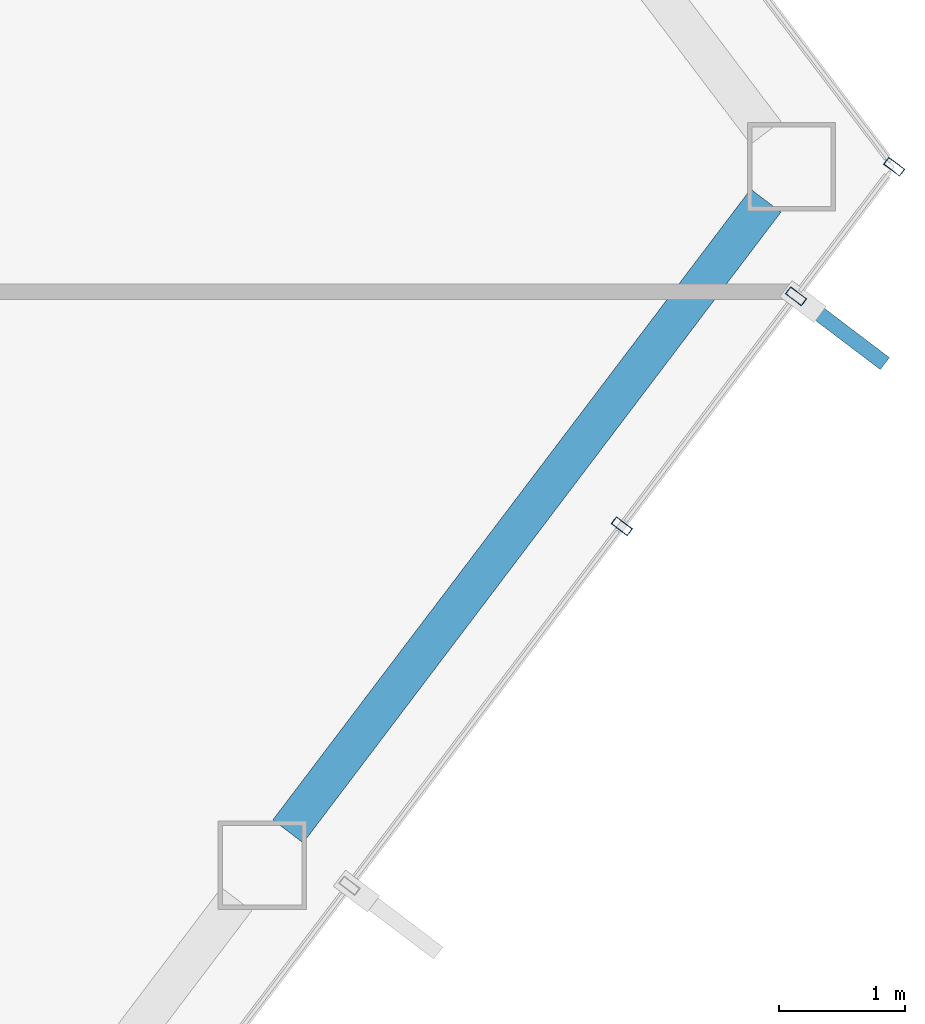
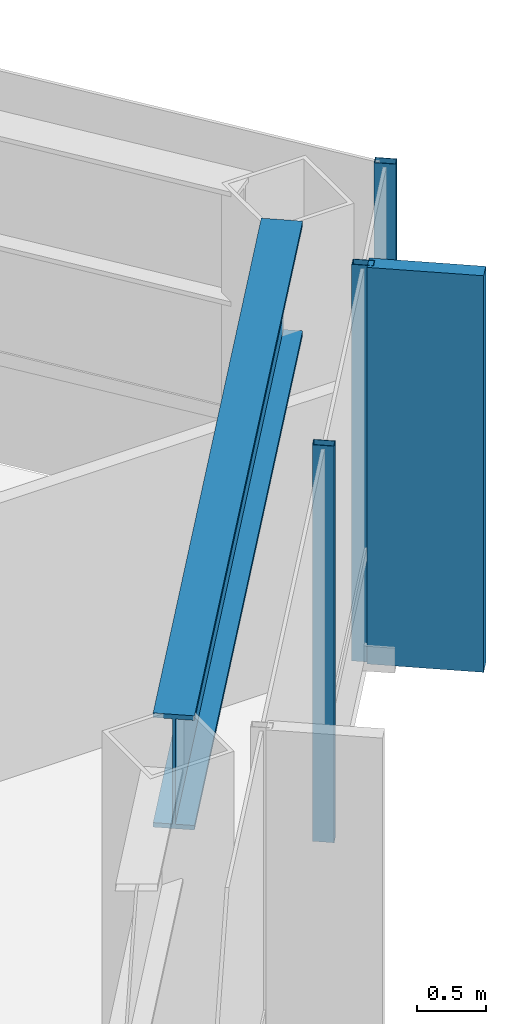
# One storey, part 20 of 27: 4 members, 1 beam, 1 element without a shape of its own.
"""IFC4 building model written with IfcOpenShell, lengths in metres."""

import ifcopenshell
import ifcopenshell.guid

model = None  # the IFC model being written
_history = None  # IfcOwnerHistory: only IFC2X3 demands one
_inside = {}  # id of a spatial element -> (the spatial element, [elements in it])
_under = {}  # id of a project, library or spatial element -> (it, [spatial elements below it])
_declared = {}  # id of a project -> (the project, [libraries it declares])
_typed = {}  # id of a type object -> (the type object, [elements of that type])
_made_of = {}  # id of a material, layer set ... -> (it, [elements and type objects made of it])


def new_model(schema):
    """Start an empty IFC model of exactly this schema.

    Asked for "IFC4X3", IfcOpenShell would pick the latest addendum, in which some entities
    have other attributes; the version numbers below select the first issue.
    IFC2X3 requires an IfcOwnerHistory on every rooted entity: one is made here for all.
    """
    global model, _history
    if schema == "IFC4X3":
        model = ifcopenshell.file(schema_version=(4, 3, 0, 0))
    else:
        model = ifcopenshell.file(schema=schema)
    _inside.clear()
    _under.clear()
    _declared.clear()
    _typed.clear()
    _made_of.clear()
    _history = None
    if model.schema == "IFC2X3":
        org = make("IfcOrganization", Name="unknown")
        user = make(
            "IfcPersonAndOrganization",
            ThePerson=make("IfcPerson", FamilyName="unknown"),
            TheOrganization=org,
        )
        app = make(
            "IfcApplication",
            ApplicationDeveloper=org,
            Version="unknown",
            ApplicationFullName="unknown",
            ApplicationIdentifier="unknown",
        )
        _history = make(
            "IfcOwnerHistory",
            OwningUser=user,
            OwningApplication=app,
            ChangeAction="ADDED",
            CreationDate=0,
        )
    return model


def make(cls, **values):
    """One entity of the class cls with the attributes given. An attribute that is None is left unset."""
    return model.create_entity(
        cls, **{name: value for name, value in values.items() if value is not None}
    )


def rooted(cls, **values):
    """An entity with a GlobalId (a new one), such as an element, a storey or a relation."""
    return make(cls, GlobalId=ifcopenshell.guid.new(), OwnerHistory=_history, **values)


def si_unit(unit_type, name, prefix=None):
    """IfcSIUnit, for example si_unit("LENGTHUNIT", "METRE", prefix="MILLI")."""
    return make("IfcSIUnit", UnitType=unit_type, Prefix=prefix, Name=name)


def assignment(units):
    """IfcUnitAssignment: the units of a project."""
    return None if units is None else make("IfcUnitAssignment", Units=units)


def point(xyz):
    """IfcCartesianPoint."""
    return None if xyz is None else make("IfcCartesianPoint", Coordinates=xyz)


def direction(xyz):
    """IfcDirection."""
    return None if xyz is None else make("IfcDirection", DirectionRatios=xyz)


def frame(location, z_axis=None, x_axis=None):
    """IfcAxis2Placement3D, a coordinate frame: its origin and axes. An axis left out is left unset."""
    return make(
        "IfcAxis2Placement3D",
        Location=point(location),
        Axis=direction(z_axis),
        RefDirection=direction(x_axis),
    )


def frame_2d(location, x_axis=None):
    """IfcAxis2Placement2D, a coordinate frame in the plane: its origin and x axis."""
    return make(
        "IfcAxis2Placement2D", Location=point(location), RefDirection=direction(x_axis)
    )


def origin():
    """The frame at (0, 0, 0) with its axes left unset."""
    return frame((0.0, 0.0, 0.0))


def origin_2d():
    """The frame at (0, 0) in the plane with its x axis left unset."""
    return frame_2d((0.0, 0.0))


def place(relative_to, where):
    """IfcLocalPlacement: puts the frame where relative to a parent placement (None: the world)."""
    return make(
        "IfcLocalPlacement", PlacementRelTo=relative_to, RelativePlacement=where
    )


def context(
    kind, dimensions, precision=None, world=None, true_north=None, identifier=None
):
    """IfcGeometricRepresentationContext, for example the 3D "Model" context."""
    return make(
        "IfcGeometricRepresentationContext",
        ContextIdentifier=identifier,
        ContextType=kind,
        CoordinateSpaceDimension=dimensions,
        Precision=precision,
        WorldCoordinateSystem=world,
        TrueNorth=true_north,
    )


def subcontext(parent, identifier, kind, view, scale=None):
    """IfcGeometricRepresentationSubContext, for example "Body" below "Model"."""
    return make(
        "IfcGeometricRepresentationSubContext",
        ContextIdentifier=identifier,
        ContextType=kind,
        ParentContext=parent,
        TargetScale=scale,
        TargetView=view,
    )


def project(units=None, contexts=None):
    """IfcProject with its units and contexts."""
    return rooted(
        "IfcProject",
        Name="project",
        RepresentationContexts=contexts,
        UnitsInContext=assignment(units),
    )


def spatial(cls, under=None, at=None, **own):
    """A site, building, storey or space (cls), placed at a placement, below another one or the project."""
    s = rooted(cls, ObjectPlacement=at, **own)
    if under is not None:
        _under.setdefault(under.id(), (under, []))[1].append(s)
    return s


def profile(cls, at=None, kind="AREA", **sizes):
    """A parametric profile (cls). Its sizes go by their IFC names, for example OverallWidth=200.0."""
    return make(cls, ProfileType=kind, Position=at, **sizes)


def rectangle(**sizes):
    """IfcRectangleProfileDef."""
    return profile("IfcRectangleProfileDef", **sizes)


def hollow_rectangle(**sizes):
    """IfcRectangleHollowProfileDef."""
    return profile("IfcRectangleHollowProfileDef", **sizes)


def i_section(**sizes):
    """IfcIShapeProfileDef."""
    return profile("IfcIShapeProfileDef", **sizes)


def extrude(swept, where, along, depth):
    """IfcExtrudedAreaSolid: the profile swept, set in the frame where, extruded along a direction by depth."""
    return make(
        "IfcExtrudedAreaSolid",
        SweptArea=swept,
        Position=where,
        ExtrudedDirection=direction(along),
        Depth=depth,
    )


def shape(context_of_items, identifier, shape_type, items):
    """IfcShapeRepresentation: the items that make up one representation, for example the "Body"."""
    return make(
        "IfcShapeRepresentation",
        ContextOfItems=context_of_items,
        RepresentationIdentifier=identifier,
        RepresentationType=shape_type,
        Items=items,
    )


def material(Name=None, Category=None):
    """IfcMaterial."""
    return make("IfcMaterial", Name=Name, Category=Category)


def layer(
    of_material, thickness, ventilated=None, Name=None, Category=None, Priority=None
):
    """IfcMaterialLayer: one layer of a wall or slab, of a material (None: an air gap)."""
    return make(
        "IfcMaterialLayer",
        Material=of_material,
        LayerThickness=thickness,
        IsVentilated=ventilated,
        Name=Name,
        Category=Category,
        Priority=Priority,
    )


def layer_set(layers, Name=None):
    """IfcMaterialLayerSet."""
    return make("IfcMaterialLayerSet", MaterialLayers=layers, LayerSetName=Name)


def material_profile(
    of_material, cross_section, Name=None, Category=None, Priority=None
):
    """IfcMaterialProfile: a cross section and its material."""
    return make(
        "IfcMaterialProfile",
        Name=Name,
        Material=of_material,
        Profile=cross_section,
        Priority=Priority,
        Category=Category,
    )


def profile_set(profiles, Name=None, composite=None):
    """IfcMaterialProfileSet."""
    return make(
        "IfcMaterialProfileSet",
        Name=Name,
        MaterialProfiles=profiles,
        CompositeProfile=composite,
    )


def made_of(thing, what):
    """Note that an element or type object is made of a material, layer set ...; save() writes the relation."""
    if what is not None:
        _made_of.setdefault(what.id(), (what, []))[1].append(thing)
    return thing


def type_object(cls, material=None, **own):
    """A type object (cls), such as IfcWallType, which elements share."""
    return made_of(rooted(cls, **own), material)


def element(
    cls,
    number,
    at=None,
    inside=None,
    cuts=None,
    type_object=None,
    material=None,
    context=None,
    identifier="Body",
    shape_type=None,
    held_by="IfcProductDefinitionShape",
    body=None,
    shapes=None,
    **own,
):
    """One element of the class cls, such as IfcWall. Its Tag is "e" and its number.

    at: its placement. inside: the storey or other place that contains it. cuts: it is an
    opening in that element (IfcRelVoidsElement). A single representation is given by context,
    identifier, shape_type and body (its items); several are given by shapes. held_by: the class
    of the entity that holds the representations. save() writes the other relations.
    """
    e = rooted(cls, Tag="e%d" % number, ObjectPlacement=at, **own)
    if body is not None:
        shapes = [shape(context, identifier, shape_type, body)]
    if shapes is not None:
        e.Representation = make(held_by, Representations=shapes)
    if inside is not None:
        _inside.setdefault(inside.id(), (inside, []))[1].append(e)
    if cuts is not None:
        rooted(
            "IfcRelVoidsElement", RelatingBuildingElement=cuts, RelatedOpeningElement=e
        )
    if type_object is not None:
        _typed.setdefault(type_object.id(), (type_object, []))[1].append(e)
    return made_of(e, material)


def aggregate(whole, parts):
    """IfcRelAggregates: a whole, such as a stair, and the parts it consists of."""
    return rooted("IfcRelAggregates", RelatingObject=whole, RelatedObjects=parts)


def save(model, path):
    """Write the relations noted so far, then the file.

    IfcRelAggregates (storeys below a building ...), IfcRelContainedInSpatialStructure (elements
    in a storey), IfcRelDefinesByType, IfcRelAssociatesMaterial and IfcRelDeclares: one each for
    every whole, place, type object, material and project.
    """
    for whole, parts in _under.values():
        aggregate(whole, parts)
    for where, things in _inside.values():
        rooted(
            "IfcRelContainedInSpatialStructure",
            RelatedElements=things,
            RelatingStructure=where,
        )
    for kind, things in _typed.values():
        rooted("IfcRelDefinesByType", RelatedObjects=things, RelatingType=kind)
    for what, things in _made_of.values():
        rooted("IfcRelAssociatesMaterial", RelatedObjects=things, RelatingMaterial=what)
    for by, libraries in _declared.values():
        rooted("IfcRelDeclares", RelatingContext=by, RelatedDefinitions=libraries)
    model.write(path)


model = new_model("IFC4")

# Units and contexts
model_context = context("Model", 3, precision=1e-05, world=origin(), true_north=direction((0.0, 1.0)))
body_context = subcontext(model_context, "Body", "Model", "MODEL_VIEW")
ifc_project = project(units=[si_unit("LENGTHUNIT", "METRE"), si_unit("AREAUNIT", "SQUARE_METRE"), si_unit("VOLUMEUNIT", "CUBIC_METRE"), si_unit("PLANEANGLEUNIT", "RADIAN"), si_unit("MASSUNIT", "GRAM", prefix="KILO")], contexts=[model_context])

# Site, building, storey
site_placement = place(None, origin())
site = spatial("IfcSite", under=ifc_project, at=site_placement, CompositionType="ELEMENT")
building_placement = place(site_placement, origin())
building = spatial("IfcBuilding", under=site, at=building_placement, Name="Zarrinselat Tower", CompositionType="ELEMENT")
storey_placement = place(building_placement, frame((0.0, 0.0, 179.52001953125)))
storey = spatial("IfcBuildingStorey", under=building, at=storey_placement, Name="L44", CompositionType="ELEMENT", Elevation=179.52001953125)

# Beam
ifc_material_1 = material(Name="Steel S460M", Category="steel")
ifc_material_profile_1 = material_profile(ifc_material_1, i_section(OverallWidth=0.302001953125, OverallDepth=1.008056640625, WebThickness=0.02099609375, FlangeThickness=0.0400390625, at=origin_2d()), Name="HEM 1000")
ifc_profile_set_1 = profile_set([ifc_material_profile_1], Name="Steel S460M")
beam_type = type_object("IfcBeamType", Name="BM-HEM1000", PredefinedType="BEAM", material=ifc_profile_set_1)
beam_placement = place(storey_placement, frame((58.24951171875, 35.1201171875, 2.99609375), z_axis=(0.603865167121, 0.797086482094, 0.0), x_axis=(-0.797086482094, 0.603865167121, 0.0)))
element("IfcBeam", 1, at=beam_placement, inside=storey, type_object=beam_type, Name="L44 Perimeter Spandrel Girder SP14", PredefinedType="BEAM", context=body_context, shape_type="SweptSolid", body=[
    extrude(i_section(OverallWidth=0.302001953125, OverallDepth=1.008056640625, WebThickness=0.02099609375, FlangeThickness=0.0400390625, at=origin_2d()), origin(), (0.0, 0.0, 1.0), 6.284912109375),
])

# Curtain wall, members
ifc_material_2 = material(Name="Extruded Aluminium Alloy EN AW-6063 T6", Category="aluminium")
ifc_layer = layer(ifc_material_2, 0.175048828125)
ifc_layer_set = layer_set([ifc_layer], Name="Extruded Aluminium Alloy EN AW-6063 T6")
curtain_wall_type = type_object("IfcCurtainWallType", Name="CWS-HTL", PredefinedType="NOTDEFINED", material=ifc_layer_set)
curtain_wall_placement = place(storey_placement, origin())
curtain_wall = element("IfcCurtainWall", 2, at=curtain_wall_placement, inside=storey, type_object=curtain_wall_type, Name="L44 Unitised Curtain Wall CW-L44-E05", PredefinedType="NOTDEFINED")
ifc_material_3 = material(Name="Extruded Aluminium Alloy EN AW-6063 T6", Category="aluminium")
ifc_material_profile_2 = material_profile(ifc_material_3, hollow_rectangle(XDim=0.070068359375, YDim=0.159912109375, WallThickness=0.00390625, at=origin_2d()), Name="RHS 160x70x4")
ifc_profile_set_2 = profile_set([ifc_material_profile_2], Name="Extruded Aluminium Alloy EN AW-6063 T6")
member_type_1 = type_object("IfcMemberType", Name="MEM-CW-MUL2", PredefinedType="MULLION", material=ifc_profile_set_2)
member_1_placement = place(storey_placement, frame((60.901123046875, 37.54345703125, 0.0), z_axis=(0.0, 0.0, 1.0), x_axis=(0.603859165965, 0.797091028478, 0.0)))
member_1 = element("IfcMember", 3, at=member_1_placement, type_object=member_type_1, Name="CW-L44-E05 Mullion 8", PredefinedType="MULLION", context=body_context, shape_type="SweptSolid", body=[
    extrude(hollow_rectangle(XDim=0.070068359375, YDim=0.159912109375, WallThickness=0.00390625, at=origin_2d()), origin(), (0.0, 0.0, 1.0), 3.5),
])
member_2_placement = place(storey_placement, frame((62.28466796875, 39.369873046875, 0.0), z_axis=(0.0, 0.0, 1.0), x_axis=(0.603859165965, 0.797091028478, 0.0)))
member_2 = element("IfcMember", 4, at=member_2_placement, type_object=member_type_1, Name="CW-L44-E05 Mullion 9", PredefinedType="MULLION", context=body_context, shape_type="SweptSolid", body=[
    extrude(hollow_rectangle(XDim=0.070068359375, YDim=0.159912109375, WallThickness=0.00390625, at=origin_2d()), origin(), (0.0, 0.0, 1.0), 3.5),
])
member_3_placement = place(storey_placement, frame((63.064208984375, 40.39892578125, 0.0), z_axis=(0.0, 0.0, 1.0), x_axis=(0.603859165965, 0.797091028478, 0.0)))
member_3 = element("IfcMember", 5, at=member_3_placement, type_object=member_type_1, Name="CW-L44-E05 Mullion 10", PredefinedType="MULLION", context=body_context, shape_type="SweptSolid", body=[
    extrude(hollow_rectangle(XDim=0.070068359375, YDim=0.159912109375, WallThickness=0.00390625, at=origin_2d()), origin(), (0.0, 0.0, 1.0), 3.5),
])
ifc_material_4 = material(Name="Honed Cream Travertine Stone", Category="masonry")
ifc_material_profile_3 = material_profile(ifc_material_4, rectangle(XDim=0.1201171875, YDim=0.85009765625, at=origin_2d()), Name="FIN 850x120")
ifc_profile_set_3 = profile_set([ifc_material_profile_3], Name="Honed Cream Travertine Stone")
member_type_2 = type_object("IfcMemberType", Name="MEM-STONE-FIN", PredefinedType="USERDEFINED", material=ifc_profile_set_3)
member_4_placement = place(storey_placement, frame((62.6513671875, 39.092041015625, 0.0), z_axis=(0.0, 0.0, 1.0), x_axis=(-0.603859165965, -0.797091028478, 0.0)))
member_4 = element("IfcMember", 6, at=member_4_placement, type_object=member_type_2, Name="L44 Stone Shading Fin CW-L44-E05-09", ObjectType="FIN", PredefinedType="USERDEFINED", context=body_context, shape_type="SweptSolid", body=[
    extrude(rectangle(XDim=0.1201171875, YDim=0.85009765625, at=origin_2d()), origin(), (0.0, 0.0, 1.0), 3.5),
])
aggregate(curtain_wall, [member_1, member_2, member_4, member_3])

save(model, "model.ifc")
